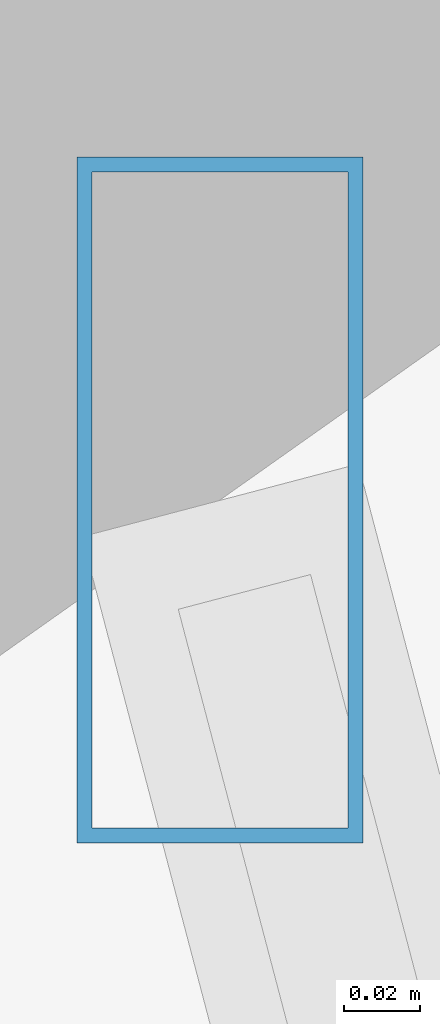
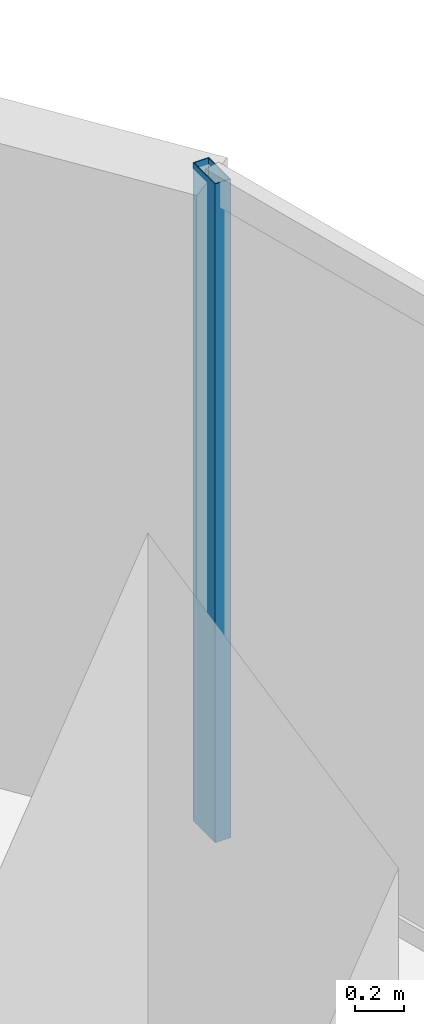
# One storey, part 18 of 34: 1 member, 1 element without a shape of its own.
"""IFC4 building model written with IfcOpenShell, lengths in metres."""

from ifc_helpers import new_model, si_unit, direction, frame, origin, origin_2d, place, context, subcontext, project, spatial, hollow_rectangle, extrude, material, material_profile, profile_set, type_object, element, aggregate, save


model = new_model("IFC4")

# Units and contexts
model_context = context("Model", 3, precision=1e-05, world=origin(), true_north=direction((0.0, 1.0)))
body_context = subcontext(model_context, "Body", "Model", "MODEL_VIEW")
ifc_project = project(units=[si_unit("LENGTHUNIT", "METRE"), si_unit("AREAUNIT", "SQUARE_METRE"), si_unit("VOLUMEUNIT", "CUBIC_METRE"), si_unit("PLANEANGLEUNIT", "RADIAN"), si_unit("MASSUNIT", "GRAM", prefix="KILO")], contexts=[model_context])

# Site, building, storey
site_placement = place(None, origin())
site = spatial("IfcSite", under=ifc_project, at=site_placement, CompositionType="ELEMENT")
building_placement = place(site_placement, origin())
building = spatial("IfcBuilding", under=site, at=building_placement, Name="Vorneva Point Tower", CompositionType="ELEMENT")
storey_placement = place(building_placement, frame((0.0, 0.0, 31.0)))
storey = spatial("IfcBuildingStorey", under=building, at=storey_placement, Name="L07", CompositionType="ELEMENT", Elevation=31.0)

# Curtain wall, member
ifc_material = material(Name="Pale anodised aluminium", Category="aluminium")
curtain_wall_type = type_object("IfcCurtainWallType", Name="CW-HTL-SYS", PredefinedType="NOTDEFINED", material=ifc_material)
curtain_wall_placement = place(storey_placement, origin())
curtain_wall = element("IfcCurtainWall", 1, at=curtain_wall_placement, inside=storey, type_object=curtain_wall_type, Name="L07 Unitised Curtain Wall CW-L07-R01", PredefinedType="NOTDEFINED")
ifc_material_profile = material_profile(ifc_material, hollow_rectangle(XDim=0.074951171875, YDim=0.179931640625, WallThickness=0.00390625, at=origin_2d()), Name="AL-MUL 180x75x4")
ifc_profile_set = profile_set([ifc_material_profile], Name="Pale anodised aluminium")
member_type = type_object("IfcMemberType", Name="CW-MUL-180", PredefinedType="MULLION", material=ifc_profile_set)
member_placement = place(storey_placement, frame((65.300537109375, 34.552978515625, -0.0400390625), z_axis=(0.0, 0.0, 1.0), x_axis=(1.0, 0.0, 0.0)))
member = element("IfcMember", 2, at=member_placement, type_object=member_type, Name="CW-L07-R01 Mullion 04", PredefinedType="MULLION", context=body_context, shape_type="SweptSolid", body=[
    extrude(hollow_rectangle(XDim=0.074951171875, YDim=0.179931640625, WallThickness=0.00390625, at=origin_2d()), origin(), (0.0, 0.0, 1.0), 3.31005859375),
])
aggregate(curtain_wall, [member])

save(model, "model.ifc")
